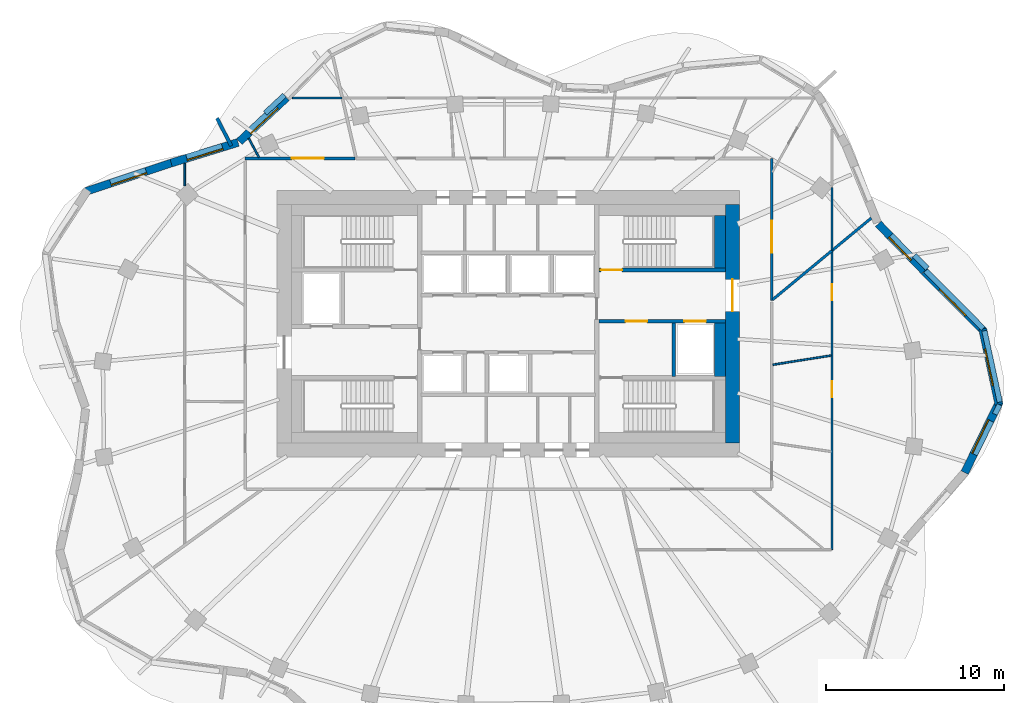
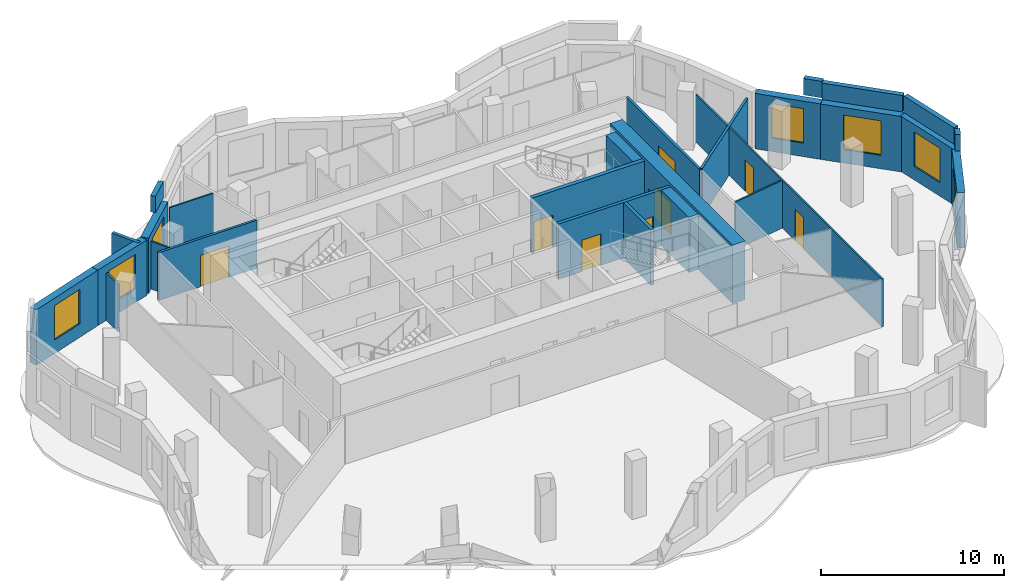
# One storey, part 6 of 9: 28 walls, 8 doors, 7 windows, 15 openings.
"""IFC4 building model written with IfcOpenShell, lengths in metres."""

from ifc_helpers import new_model, si_unit, direction, frame, frame_2d, origin, place, context, subcontext, project, spatial, rectangle, extrude, material, layer, layer_set, type_object, element, fill, save


model = new_model("IFC4")

# Units and contexts
model_context = context("Model", 3, precision=1e-05, world=origin(), true_north=direction((0.0, 1.0)))
body_context = subcontext(model_context, "Body", "Model", "MODEL_VIEW")
ifc_project = project(units=[si_unit("LENGTHUNIT", "METRE"), si_unit("AREAUNIT", "SQUARE_METRE"), si_unit("VOLUMEUNIT", "CUBIC_METRE"), si_unit("PLANEANGLEUNIT", "RADIAN"), si_unit("MASSUNIT", "GRAM", prefix="KILO")], contexts=[model_context])

# Site, building, storey
site_placement = place(None, origin())
site = spatial("IfcSite", under=ifc_project, at=site_placement, CompositionType="ELEMENT")
building_placement = place(site_placement, origin())
building = spatial("IfcBuilding", under=site, at=building_placement, Name="Rubra Terraces Tower", CompositionType="ELEMENT")
storey_placement = place(building_placement, frame((0.0, 0.0, 272.699951171875)))
storey = spatial("IfcBuildingStorey", under=building, at=storey_placement, Name="L67", CompositionType="ELEMENT", Elevation=272.699951171875)

# Wall, opening, window
ifc_material_1 = material(Name="Brick masonry red-brown", Category="masonry")
ifc_layer_1 = layer(ifc_material_1, 0.449951171875)
ifc_layer_set_1 = layer_set([ifc_layer_1], Name="Brick masonry red-brown")
wall_type_1 = type_object("IfcWallType", Name="Brick facade wall 450", PredefinedType="SOLIDWALL", material=ifc_layer_set_1)
wall_1_placement = place(storey_placement, frame((27.587158203125, -0.047607421875, 0.0), z_axis=(0.0, 0.0, 1.0), x_axis=(-0.210910311825, 0.977505417052, 0.0)))
wall_1 = element("IfcWall", 1, at=wall_1_placement, inside=storey, type_object=wall_type_1, Name="Facade wall L67 bay 1", PredefinedType="SOLIDWALL", context=body_context, shape_type="SweptSolid", body=[
    extrude(rectangle(XDim=4.35693359375, YDim=0.449951171875, at=frame_2d((2.178466796875, 0.0))), origin(), (0.0, 0.0, 1.0), 3.699951171875),
])
opening_1_placement = place(wall_1_placement, frame((1.12841796875, 0.0, 0.89990234375)))
opening_1 = element("IfcOpeningElement", 2, at=opening_1_placement, cuts=wall_1, Name="Opening W1B", PredefinedType="OPENING", context=body_context, shape_type="SweptSolid", body=[
    extrude(rectangle(XDim=2.10009765625, YDim=2.300048828125, at=frame_2d((1.050048828125, 1.14990234375))), frame((0.0, 0.23486328125, 0.0), z_axis=(0.0, -1.0, 0.0), x_axis=(1.0, 0.0, 0.0)), (0.0, 0.0, 1.0), 0.469970703125),
])
ifc_material_2 = material(Name="Clear glass in aluminium frame", Category="aluminium")
window_type_1 = type_object("IfcWindowType", Name="Fixed deep-set window tall storey 2100 x 2300", PartitioningType="SINGLE_PANEL", PredefinedType="WINDOW", material=ifc_material_2)
window_1_placement = place(opening_1_placement, origin())
window_1 = element("IfcWindow", 3, at=window_1_placement, inside=storey, type_object=window_type_1, Name="Window L67 bay 1", OverallHeight=2.300048828125, OverallWidth=2.10009765625, PartitioningType="SINGLE_PANEL", PredefinedType="WINDOW", context=body_context, shape_type="SweptSolid", body=[
    extrude(rectangle(XDim=2.10009765625, YDim=2.300048828125, at=frame_2d((1.050048828125, 1.14990234375))), frame((0.0, 0.135009765625, 0.0), z_axis=(0.0, -1.0, 0.0), x_axis=(1.0, 0.0, 0.0)), (0.0, 0.0, 1.0), 0.06005859375),
])
fill(opening_1, window_1)

wall_2_placement = place(storey_placement, frame((26.725341796875, 4.103515625, 0.0), z_axis=(0.0, 0.0, 1.0), x_axis=(-0.705349231702, 0.708859973011, 0.0)))
wall_2 = element("IfcWall", 4, at=wall_2_placement, inside=storey, type_object=wall_type_1, Name="Facade wall L67 bay 2", PredefinedType="SOLIDWALL", context=body_context, shape_type="SweptSolid", body=[
    extrude(rectangle(XDim=4.728759765625, YDim=0.449951171875, at=frame_2d((2.3642578125, 0.0))), origin(), (0.0, 0.0, 1.0), 3.699951171875),
])
opening_2_placement = place(wall_2_placement, frame((1.314453125, 0.0, 0.89990234375)))
opening_2 = element("IfcOpeningElement", 5, at=opening_2_placement, cuts=wall_2, Name="Opening W1B", PredefinedType="OPENING", context=body_context, shape_type="SweptSolid", body=[
    extrude(rectangle(XDim=2.10009765625, YDim=2.300048828125, at=frame_2d((1.050048828125, 1.14990234375))), frame((0.0, 0.23486328125, 0.0), z_axis=(0.0, -1.0, 0.0), x_axis=(1.0, 0.0, 0.0)), (0.0, 0.0, 1.0), 0.469970703125),
])
window_2_placement = place(opening_2_placement, origin())
window_2 = element("IfcWindow", 6, at=window_2_placement, inside=storey, type_object=window_type_1, Name="Window L67 bay 2", OverallHeight=2.300048828125, OverallWidth=2.10009765625, PartitioningType="SINGLE_PANEL", PredefinedType="WINDOW", context=body_context, shape_type="SweptSolid", body=[
    extrude(rectangle(XDim=2.10009765625, YDim=2.300048828125, at=frame_2d((1.050048828125, 1.14990234375))), frame((0.0, 0.135009765625, 0.0), z_axis=(0.0, -1.0, 0.0), x_axis=(1.0, 0.0, 0.0)), (0.0, 0.0, 1.0), 0.06005859375),
])
fill(opening_2, window_2)

wall_3_placement = place(storey_placement, frame((23.38720703125, 7.45849609375, 0.0), z_axis=(0.0, 0.0, 1.0), x_axis=(-0.697118725762, 0.716955704484, 0.0)))
wall_3 = element("IfcWall", 7, at=wall_3_placement, inside=storey, type_object=wall_type_1, Name="Facade wall L67 bay 3", PredefinedType="SOLIDWALL", context=body_context, shape_type="SweptSolid", body=[
    extrude(rectangle(XDim=3.716796875, YDim=0.449951171875, at=frame_2d((1.8583984375, 0.0))), origin(), (0.0, 0.0, 1.0), 3.699951171875),
])
opening_3_placement = place(wall_3_placement, frame((0.95849609375, 0.0, 0.89990234375)))
opening_3 = element("IfcOpeningElement", 8, at=opening_3_placement, cuts=wall_3, Name="Opening W6B", PredefinedType="OPENING", context=body_context, shape_type="SweptSolid", body=[
    extrude(rectangle(XDim=1.800048828125, YDim=2.300048828125, at=frame_2d((0.89990234375, 1.14990234375))), frame((0.0, 0.23486328125, 0.0), z_axis=(0.0, -1.0, 0.0), x_axis=(1.0, 0.0, 0.0)), (0.0, 0.0, 1.0), 0.469970703125),
])
window_type_2 = type_object("IfcWindowType", Name="Fixed deep-set window at wind fin tall storey 1800 x 2300", PartitioningType="SINGLE_PANEL", PredefinedType="WINDOW", material=ifc_material_2)
window_3_placement = place(opening_3_placement, origin())
window_3 = element("IfcWindow", 9, at=window_3_placement, inside=storey, type_object=window_type_2, Name="Window L67 bay 3", OverallHeight=2.300048828125, OverallWidth=1.800048828125, PartitioningType="SINGLE_PANEL", PredefinedType="WINDOW", context=body_context, shape_type="SweptSolid", body=[
    extrude(rectangle(XDim=1.800048828125, YDim=2.300048828125, at=frame_2d((0.89990234375, 1.14990234375))), frame((0.0, 0.135009765625, 0.0), z_axis=(0.0, -1.0, 0.0), x_axis=(1.0, 0.0, 0.0)), (0.0, 0.0, 1.0), 0.06005859375),
])
fill(opening_3, window_3)

wall_4_placement = place(storey_placement, frame((-12.47314453125, 17.21923828125, 0.0), z_axis=(0.0, 0.0, 1.0), x_axis=(-0.730618259172, -0.68278617397, 0.0)))
wall_4 = element("IfcWall", 10, at=wall_4_placement, inside=storey, type_object=wall_type_1, Name="Facade wall L67 bay 15", PredefinedType="SOLIDWALL", context=body_context, shape_type="SweptSolid", body=[
    extrude(rectangle(XDim=3.6240234375, YDim=0.449951171875, at=frame_2d((1.81201171875, 0.0))), origin(), (0.0, 0.0, 1.0), 3.699951171875),
])
opening_4_placement = place(wall_4_placement, frame((0.761962890625, 0.0, 0.89990234375)))
opening_4 = element("IfcOpeningElement", 11, at=opening_4_placement, cuts=wall_4, Name="Opening W1B", PredefinedType="OPENING", context=body_context, shape_type="SweptSolid", body=[
    extrude(rectangle(XDim=2.10009765625, YDim=2.300048828125, at=frame_2d((1.050048828125, 1.14990234375))), frame((0.0, 0.23486328125, 0.0), z_axis=(0.0, -1.0, 0.0), x_axis=(1.0, 0.0, 0.0)), (0.0, 0.0, 1.0), 0.469970703125),
])
window_4_placement = place(opening_4_placement, origin())
window_4 = element("IfcWindow", 12, at=window_4_placement, inside=storey, type_object=window_type_1, Name="Window L67 bay 15", OverallHeight=2.300048828125, OverallWidth=2.10009765625, PartitioningType="SINGLE_PANEL", PredefinedType="WINDOW", context=body_context, shape_type="SweptSolid", body=[
    extrude(rectangle(XDim=2.10009765625, YDim=2.300048828125, at=frame_2d((1.050048828125, 1.14990234375))), frame((0.0, 0.135009765625, 0.0), z_axis=(0.0, -1.0, 0.0), x_axis=(1.0, 0.0, 0.0)), (0.0, 0.0, 1.0), 0.06005859375),
])
fill(opening_4, window_4)

wall_5_placement = place(storey_placement, frame((-15.200439453125, 14.697998046875, 0.0), z_axis=(0.0, 0.0, 1.0), x_axis=(-0.955797807378, -0.294024746256, 0.0)))
wall_5 = element("IfcWall", 13, at=wall_5_placement, inside=storey, type_object=wall_type_1, Name="Facade wall L67 bay 16", PredefinedType="SOLIDWALL", context=body_context, shape_type="SweptSolid", body=[
    extrude(rectangle(XDim=3.930908203125, YDim=0.449951171875, at=frame_2d((1.96533203125, 0.0))), origin(), (0.0, 0.0, 1.0), 3.699951171875),
])
opening_5_placement = place(wall_5_placement, frame((0.915283203125, 0.0, 0.89990234375)))
opening_5 = element("IfcOpeningElement", 14, at=opening_5_placement, cuts=wall_5, Name="Opening W1B", PredefinedType="OPENING", context=body_context, shape_type="SweptSolid", body=[
    extrude(rectangle(XDim=2.10009765625, YDim=2.300048828125, at=frame_2d((1.050048828125, 1.14990234375))), frame((0.0, 0.23486328125, 0.0), z_axis=(0.0, -1.0, 0.0), x_axis=(1.0, 0.0, 0.0)), (0.0, 0.0, 1.0), 0.469970703125),
])
window_5_placement = place(opening_5_placement, origin())
window_5 = element("IfcWindow", 15, at=window_5_placement, inside=storey, type_object=window_type_1, Name="Window L67 bay 16", OverallHeight=2.300048828125, OverallWidth=2.10009765625, PartitioningType="SINGLE_PANEL", PredefinedType="WINDOW", context=body_context, shape_type="SweptSolid", body=[
    extrude(rectangle(XDim=2.10009765625, YDim=2.300048828125, at=frame_2d((1.050048828125, 1.14990234375))), frame((0.0, 0.135009765625, 0.0), z_axis=(0.0, -1.0, 0.0), x_axis=(1.0, 0.0, 0.0)), (0.0, 0.0, 1.0), 0.06005859375),
])
fill(opening_5, window_5)

wall_6_placement = place(storey_placement, frame((-18.953857421875, 13.54345703125, 0.0), z_axis=(0.0, 0.0, 1.0), x_axis=(-0.948673679101, -0.316256621402, 0.0)))
wall_6 = element("IfcWall", 16, at=wall_6_placement, inside=storey, type_object=wall_type_1, Name="Facade wall L67 bay 17", PredefinedType="SOLIDWALL", context=body_context, shape_type="SweptSolid", body=[
    extrude(rectangle(XDim=5.076416015625, YDim=0.449951171875, at=frame_2d((2.5380859375, 0.0))), origin(), (0.0, 0.0, 1.0), 3.699951171875),
])
opening_6_placement = place(wall_6_placement, frame((1.48828125, 0.0, 0.89990234375)))
opening_6 = element("IfcOpeningElement", 17, at=opening_6_placement, cuts=wall_6, Name="Opening W1B", PredefinedType="OPENING", context=body_context, shape_type="SweptSolid", body=[
    extrude(rectangle(XDim=2.10009765625, YDim=2.300048828125, at=frame_2d((1.050048828125, 1.14990234375))), frame((0.0, 0.23486328125, 0.0), z_axis=(0.0, -1.0, 0.0), x_axis=(1.0, 0.0, 0.0)), (0.0, 0.0, 1.0), 0.469970703125),
])
window_6_placement = place(opening_6_placement, origin())
window_6 = element("IfcWindow", 18, at=window_6_placement, inside=storey, type_object=window_type_1, Name="Window L67 bay 17", OverallHeight=2.300048828125, OverallWidth=2.10009765625, PartitioningType="SINGLE_PANEL", PredefinedType="WINDOW", context=body_context, shape_type="SweptSolid", body=[
    extrude(rectangle(XDim=2.10009765625, YDim=2.300048828125, at=frame_2d((1.050048828125, 1.14990234375))), frame((0.0, 0.135009765625, 0.0), z_axis=(0.0, -1.0, 0.0), x_axis=(1.0, 0.0, 0.0)), (0.0, 0.0, 1.0), 0.06005859375),
])
fill(opening_6, window_6)

wall_7_placement = place(storey_placement, frame((25.65869140625, -3.863525390625, 0.0), z_axis=(0.0, 0.0, 1.0), x_axis=(0.440853857785, 0.897578896853, 0.0)))
wall_7 = element("IfcWall", 19, at=wall_7_placement, inside=storey, type_object=wall_type_1, Name="Facade wall L67 bay 40", PredefinedType="SOLIDWALL", context=body_context, shape_type="SweptSolid", body=[
    extrude(rectangle(XDim=4.414794921875, YDim=0.449951171875, at=frame_2d((2.20751953125, 0.0))), origin(), (0.0, 0.0, 1.0), 3.699951171875),
])
opening_7_placement = place(wall_7_placement, frame((1.157470703125, 0.0, 0.89990234375)))
opening_7 = element("IfcOpeningElement", 20, at=opening_7_placement, cuts=wall_7, Name="Opening W1B", PredefinedType="OPENING", context=body_context, shape_type="SweptSolid", body=[
    extrude(rectangle(XDim=2.10009765625, YDim=2.300048828125, at=frame_2d((1.050048828125, 1.14990234375))), frame((0.0, 0.23486328125, 0.0), z_axis=(0.0, -1.0, 0.0), x_axis=(1.0, 0.0, 0.0)), (0.0, 0.0, 1.0), 0.469970703125),
])
window_7_placement = place(opening_7_placement, origin())
window_7 = element("IfcWindow", 21, at=window_7_placement, inside=storey, type_object=window_type_1, Name="Window L67 bay 40", OverallHeight=2.300048828125, OverallWidth=2.10009765625, PartitioningType="SINGLE_PANEL", PredefinedType="WINDOW", context=body_context, shape_type="SweptSolid", body=[
    extrude(rectangle(XDim=2.10009765625, YDim=2.300048828125, at=frame_2d((1.050048828125, 1.14990234375))), frame((0.0, 0.135009765625, 0.0), z_axis=(0.0, -1.0, 0.0), x_axis=(1.0, 0.0, 0.0)), (0.0, 0.0, 1.0), 0.06005859375),
])
fill(opening_7, window_7)

# Walls
ifc_layer_2 = layer(ifc_material_1, 0.300048828125)
ifc_layer_set_2 = layer_set([ifc_layer_2], Name="Brick masonry red-brown")
wall_type_2 = type_object("IfcWallType", Name="Brick parapet 300", PredefinedType="PARAPET", material=ifc_layer_set_2)
wall_8_placement = place(storey_placement, frame((27.632080078125, 0.099609375, 3.900146484375), z_axis=(0.0, 0.0, 1.0), x_axis=(-0.210962679137, 0.977494116612, 0.0)))
element("IfcWall", 22, at=wall_8_placement, inside=storey, type_object=wall_type_2, Name="Parapet L67 bay 1", PredefinedType="PARAPET", context=body_context, shape_type="SweptSolid", body=[
    extrude(rectangle(XDim=4.104736328125, YDim=0.300048828125, at=frame_2d((2.05224609375, 0.0))), origin(), (0.0, 0.0, 1.0), 1.099853515625),
])
wall_9_placement = place(storey_placement, frame((26.698486328125, 4.23681640625, 3.900146484375), z_axis=(0.0, 0.0, 1.0), x_axis=(-0.705345759681, 0.708863427819, 0.0)))
element("IfcWall", 23, at=wall_9_placement, inside=storey, type_object=wall_type_2, Name="Parapet L67 bay 2", PredefinedType="PARAPET", context=body_context, shape_type="SweptSolid", body=[
    extrude(rectangle(XDim=4.58056640625, YDim=0.300048828125, at=frame_2d((2.290283203125, 0.0))), origin(), (0.0, 0.0, 1.0), 1.099853515625),
])
wall_10_placement = place(storey_placement, frame((23.552490234375, 7.611083984375, 3.900146484375), z_axis=(0.0, 0.0, 1.0), x_axis=(-0.697078393292, 0.716994918814, 0.0)))
element("IfcWall", 24, at=wall_10_placement, inside=storey, type_object=wall_type_2, Name="Parapet L67 bay 3", PredefinedType="PARAPET", context=body_context, shape_type="SweptSolid", body=[
    extrude(rectangle(XDim=1.0419921875, YDim=0.300048828125, at=frame_2d((0.52099609375, 0.0))), origin(), (0.0, 0.0, 1.0), 1.099853515625),
])
wall_11_placement = place(storey_placement, frame((-12.5927734375, 17.35107421875, 3.900146484375), z_axis=(0.0, 0.0, 1.0), x_axis=(-0.730582493513, -0.682824443157, 0.0)))
element("IfcWall", 25, at=wall_11_placement, inside=storey, type_object=wall_type_2, Name="Parapet L67 bay 15", PredefinedType="PARAPET", context=body_context, shape_type="SweptSolid", body=[
    extrude(rectangle(XDim=1.477294921875, YDim=0.300048828125, at=frame_2d((0.73876953125, 0.0))), origin(), (0.0, 0.0, 1.0), 1.099853515625),
])
wall_12_placement = place(storey_placement, frame((27.35205078125, -0.586181640625, 3.900146484375), z_axis=(0.0, 0.0, 1.0), x_axis=(0.440938824915, 0.8975371595, 0.0)))
element("IfcWall", 26, at=wall_12_placement, inside=storey, type_object=wall_type_2, Name="Parapet L67 bay 40", PredefinedType="PARAPET", context=body_context, shape_type="SweptSolid", body=[
    extrude(rectangle(XDim=0.592529296875, YDim=0.300048828125, at=frame_2d((0.29638671875, 0.0))), origin(), (0.0, 0.0, 1.0), 1.099853515625),
])
ifc_layer_3 = layer(ifc_material_1, 0.199951171875)
ifc_layer_set_3 = layer_set([ifc_layer_3], Name="Brick masonry red-brown")
wall_type_3 = type_object("IfcWallType", Name="Brick wind fin 200", PredefinedType="SOLIDWALL", material=ifc_layer_set_3)
wall_13_placement = place(storey_placement, frame((-15.5869140625, 14.507080078125, 0.0), z_axis=(0.0, 0.0, 1.0), x_axis=(-0.452117231361, 0.89195852432, 0.0)))
element("IfcWall", 27, at=wall_13_placement, inside=storey, type_object=wall_type_3, Name="Wind fin L67 8", PredefinedType="SOLIDWALL", context=body_context, shape_type="SweptSolid", body=[
    extrude(rectangle(XDim=1.75, YDim=0.199951171875, at=frame_2d((0.875, 0.0))), origin(), (0.0, 0.0, 1.0), 3.699951171875),
])

# Wall, opening, door
ifc_material_3 = material(Name="Concrete C50", Category="concrete")
ifc_layer_4 = layer(ifc_material_3, 0.800048828125)
ifc_layer_set_4 = layer_set([ifc_layer_4], Name="Concrete C50")
wall_type_4 = type_object("IfcWallType", Name="CORE WALL 800 C50", PredefinedType="SHEAR", material=ifc_layer_set_4)
wall_14_placement = place(storey_placement, frame((12.60009765625, -2.199951171875, 0.0), z_axis=(0.0, 0.0, 1.0), x_axis=(0.0, 1.0, 0.0)))
wall_14 = element("IfcWall", 28, at=wall_14_placement, inside=storey, type_object=wall_type_4, Name="CORE WALL E L67", PredefinedType="SHEAR", context=body_context, shape_type="SweptSolid", body=[
    extrude(rectangle(XDim=13.39990234375, YDim=0.800048828125, at=frame_2d((6.699951171875, 0.0))), origin(), (0.0, 0.0, 1.0), 3.900146484375),
])
opening_8_placement = place(wall_14_placement, frame((7.39990234375, 0.0, 0.0)))
opening_8 = element("IfcOpeningElement", 29, at=opening_8_placement, cuts=wall_14, Name="Opening L67.C02", PredefinedType="OPENING", context=body_context, shape_type="SweptSolid", body=[
    extrude(rectangle(XDim=1.800048828125, YDim=2.10009765625, at=frame_2d((0.89990234375, 1.050048828125))), frame((0.0, 0.409912109375, 0.0), z_axis=(0.0, -1.0, 0.0), x_axis=(1.0, 0.0, 0.0)), (0.0, 0.0, 1.0), 0.820068359375),
])
ifc_material_4 = material(Name="Painted steel", Category="steel")
door_type_1 = type_object("IfcDoorType", Name="Fire door 1800x2100 double", OperationType="NOTDEFINED", PredefinedType="DOOR", material=ifc_material_4)
door_1_placement = place(opening_8_placement, origin())
door_1 = element("IfcDoor", 30, at=door_1_placement, inside=storey, type_object=door_type_1, Name="Core entrance door FF2", OperationType="DOUBLE_DOOR_SINGLE_SWING", OverallHeight=2.10009765625, OverallWidth=1.800048828125, PredefinedType="DOOR", context=body_context, shape_type="SweptSolid", body=[
    extrude(rectangle(XDim=1.800048828125, YDim=2.10009765625, at=frame_2d((0.89990234375, 1.050048828125))), frame((0.0, 0.02490234375, 0.0), z_axis=(0.0, -1.0, 0.0), x_axis=(1.0, 0.0, 0.0)), (0.0, 0.0, 1.0), 0.050048828125),
])
fill(opening_8, door_1)

ifc_material_5 = material(Name="Plasterboard on steel stud, mineral wool infill", Category="steel")
ifc_layer_5 = layer(ifc_material_5, 0.14990234375)
ifc_layer_set_5 = layer_set([ifc_layer_5], Name="Plasterboard on steel stud, mineral wool infill")
wall_type_5 = type_object("IfcWallType", Name="CORRIDOR PARTITION 150", PredefinedType="PARTITIONING", material=ifc_layer_set_5)
wall_15_placement = place(storey_placement, frame((14.800048828125, 5.808837890625, 0.0), z_axis=(0.0, 0.0, 1.0), x_axis=(0.0, 1.0, 0.0)))
wall_15 = element("IfcWall", 31, at=wall_15_placement, inside=storey, type_object=wall_type_5, Name="PARTITION", PredefinedType="PARTITIONING", context=body_context, shape_type="SweptSolid", body=[
    extrude(rectangle(XDim=7.9912109375, YDim=0.14990234375, at=frame_2d((3.99560546875, 0.0))), origin(), (0.0, 0.0, 1.0), 3.197998046875),
])
opening_9_placement = place(wall_15_placement, frame((2.674072265625, 0.0, 0.0)))
opening_9 = element("IfcOpeningElement", 32, at=opening_9_placement, cuts=wall_15, Name="Opening 67-101", PredefinedType="OPENING", context=body_context, shape_type="SweptSolid", body=[
    extrude(rectangle(XDim=1.800048828125, YDim=2.10009765625, at=frame_2d((0.89990234375, 1.050048828125))), frame((0.0, 0.0849609375, 0.0), z_axis=(0.0, -1.0, 0.0), x_axis=(1.0, 0.0, 0.0)), (0.0, 0.0, 1.0), 0.169921875),
])
ifc_material_6 = material(Name="Painted timber door leaf, double", Category="wood")
door_type_2 = type_object("IfcDoorType", Name="ROOM DOUBLE DOOR 1800 X 2100", OperationType="DOUBLE_DOOR_SINGLE_SWING", PredefinedType="DOOR", material=ifc_material_6)
door_2_placement = place(opening_9_placement, origin())
door_2 = element("IfcDoor", 33, at=door_2_placement, inside=storey, type_object=door_type_2, Name="DOOR 67-101", OperationType="DOUBLE_DOOR_SINGLE_SWING", OverallHeight=2.10009765625, OverallWidth=1.800048828125, PredefinedType="DOOR", context=body_context, shape_type="SweptSolid", body=[
    extrude(rectangle(XDim=1.800048828125, YDim=2.10009765625, at=frame_2d((0.89990234375, 1.050048828125))), frame((0.0, 0.02490234375, 0.0), z_axis=(0.0, -1.0, 0.0), x_axis=(1.0, 0.0, 0.0)), (0.0, 0.0, 1.0), 0.050048828125),
])
fill(opening_9, door_2)

wall_16_placement = place(storey_placement, frame((-8.630615234375, 13.800048828125, 0.0), z_axis=(0.0, 0.0, 1.0), x_axis=(-1.0, 0.0, 0.0)))
wall_16 = element("IfcWall", 34, at=wall_16_placement, inside=storey, type_object=wall_type_5, Name="PARTITION", PredefinedType="PARTITIONING", context=body_context, shape_type="SweptSolid", body=[
    extrude(rectangle(XDim=6.16943359375, YDim=0.14990234375, at=frame_2d((3.084716796875, 0.0))), origin(), (0.0, 0.0, 1.0), 3.197998046875),
])
opening_10_placement = place(wall_16_placement, frame((1.742919921875, 0.0, 0.0)))
opening_10 = element("IfcOpeningElement", 35, at=opening_10_placement, cuts=wall_16, Name="Opening 67-107", PredefinedType="OPENING", context=body_context, shape_type="SweptSolid", body=[
    extrude(rectangle(XDim=1.800048828125, YDim=2.10009765625, at=frame_2d((0.89990234375, 1.050048828125))), frame((0.0, 0.0849609375, 0.0), z_axis=(0.0, -1.0, 0.0), x_axis=(1.0, 0.0, 0.0)), (0.0, 0.0, 1.0), 0.169921875),
])
door_3_placement = place(opening_10_placement, origin())
door_3 = element("IfcDoor", 36, at=door_3_placement, inside=storey, type_object=door_type_2, Name="DOOR 67-107", OperationType="DOUBLE_DOOR_SINGLE_SWING", OverallHeight=2.10009765625, OverallWidth=1.800048828125, PredefinedType="DOOR", context=body_context, shape_type="SweptSolid", body=[
    extrude(rectangle(XDim=1.800048828125, YDim=2.10009765625, at=frame_2d((0.89990234375, 1.050048828125))), frame((0.0, 0.02490234375, 0.0), z_axis=(0.0, -1.0, 0.0), x_axis=(1.0, 0.0, 0.0)), (0.0, 0.0, 1.0), 0.050048828125),
])
fill(opening_10, door_3)

# Walls
ifc_material_7 = material(Name="Concrete C40", Category="concrete")
ifc_layer_6 = layer(ifc_material_7, 0.60009765625)
ifc_layer_set_6 = layer_set([ifc_layer_6], Name="Concrete C40")
wall_type_6 = type_object("IfcWallType", Name="Core lining wall 600 concrete", PredefinedType="SOLIDWALL", material=ifc_layer_set_6)
wall_17_placement = place(storey_placement, frame((11.89990234375, 10.60009765625, 0.0), z_axis=(0.0, 0.0, 1.0), x_axis=(0.0, -1.0, 0.0)))
element("IfcWall", 37, at=wall_17_placement, inside=storey, type_object=wall_type_6, Name="CORE LINING WALL L67", PredefinedType="SOLIDWALL", context=body_context, shape_type="SweptSolid", body=[
    extrude(rectangle(XDim=2.9501953125, YDim=0.60009765625, at=frame_2d((1.47509765625, 0.0))), origin(), (0.0, 0.0, 1.0), 3.699951171875),
])
wall_18_placement = place(storey_placement, frame((11.89990234375, 4.550048828125, 0.0), z_axis=(0.0, 0.0, 1.0), x_axis=(0.0, -1.0, 0.0)))
element("IfcWall", 38, at=wall_18_placement, inside=storey, type_object=wall_type_6, Name="CORE LINING WALL L67", PredefinedType="SOLIDWALL", context=body_context, shape_type="SweptSolid", body=[
    extrude(rectangle(XDim=3.0, YDim=0.60009765625, at=frame_2d((1.5, 0.0))), origin(), (0.0, 0.0, 1.0), 3.699951171875),
])

# Wall, openings, doors
ifc_material_8 = material(Name="Concrete C30", Category="concrete")
ifc_layer_7 = layer(ifc_material_8, 0.199951171875)
ifc_layer_set_7 = layer_set([ifc_layer_7], Name="Concrete C30")
wall_type_7 = type_object("IfcWallType", Name="Core wall 200 concrete", PredefinedType="SOLIDWALL", material=ifc_layer_set_7)
wall_19_placement = place(storey_placement, frame((12.199951171875, 4.64990234375, 0.0), z_axis=(0.0, 0.0, 1.0), x_axis=(-1.0, 0.0, 0.0)))
wall_19 = element("IfcWall", 39, at=wall_19_placement, inside=storey, type_object=wall_type_7, Name="STAIR WALL L67", PredefinedType="SOLIDWALL", context=body_context, shape_type="SweptSolid", body=[
    extrude(rectangle(XDim=7.099853515625, YDim=0.199951171875, at=frame_2d((3.5498046875, 0.0))), origin(), (0.0, 0.0, 1.0), 3.699951171875),
])
opening_11_placement = place(wall_19_placement, frame((4.39990234375, 0.0, 0.0)))
opening_11 = element("IfcOpeningElement", 40, at=opening_11_placement, cuts=wall_19, Name="Opening L67.C06", PredefinedType="OPENING", context=body_context, shape_type="SweptSolid", body=[
    extrude(rectangle(XDim=1.199951171875, YDim=2.10009765625, at=frame_2d((0.60009765625, 1.050048828125))), frame((0.0, 0.10986328125, 0.0), z_axis=(0.0, -1.0, 0.0), x_axis=(1.0, 0.0, 0.0)), (0.0, 0.0, 1.0), 0.219970703125),
])
opening_12_placement = place(wall_19_placement, frame((1.10009765625, 0.0, 0.0)))
opening_12 = element("IfcOpeningElement", 41, at=opening_12_placement, cuts=wall_19, Name="Opening L67.C12", PredefinedType="OPENING", context=body_context, shape_type="SweptSolid", body=[
    extrude(rectangle(XDim=1.199951171875, YDim=2.10009765625, at=frame_2d((0.60009765625, 1.050048828125))), frame((0.0, 0.10986328125, 0.0), z_axis=(0.0, -1.0, 0.0), x_axis=(1.0, 0.0, 0.0)), (0.0, 0.0, 1.0), 0.219970703125),
])
door_type_3 = type_object("IfcDoorType", Name="Fire door 1200x2100 single", OperationType="NOTDEFINED", PredefinedType="DOOR", material=ifc_material_4)
door_4_placement = place(opening_11_placement, origin())
door_4 = element("IfcDoor", 42, at=door_4_placement, inside=storey, type_object=door_type_3, Name="Stair vestibule door S4", OperationType="SINGLE_SWING_RIGHT", OverallHeight=2.10009765625, OverallWidth=1.199951171875, PredefinedType="DOOR", context=body_context, shape_type="SweptSolid", body=[
    extrude(rectangle(XDim=1.199951171875, YDim=2.10009765625, at=frame_2d((0.60009765625, 1.050048828125))), frame((0.0, 0.02490234375, 0.0), z_axis=(0.0, -1.0, 0.0), x_axis=(1.0, 0.0, 0.0)), (0.0, 0.0, 1.0), 0.050048828125),
])
fill(opening_11, door_4)
ifc_material_9 = material(Name="Stainless steel", Category="steel")
door_type_4 = type_object("IfcDoorType", Name="Lift landing door 1200x2100", OperationType="NOTDEFINED", PredefinedType="DOOR", material=ifc_material_9)
door_5_placement = place(opening_12_placement, origin())
door_5 = element("IfcDoor", 43, at=door_5_placement, inside=storey, type_object=door_type_4, Name="Landing door FF2", OperationType="SLIDING_TO_RIGHT", OverallHeight=2.10009765625, OverallWidth=1.199951171875, PredefinedType="DOOR", context=body_context, shape_type="SweptSolid", body=[
    extrude(rectangle(XDim=1.199951171875, YDim=2.10009765625, at=frame_2d((0.60009765625, 1.050048828125))), frame((0.0, 0.02490234375, 0.0), z_axis=(0.0, -1.0, 0.0), x_axis=(1.0, 0.0, 0.0)), (0.0, 0.0, 1.0), 0.050048828125),
])
fill(opening_12, door_5)

# Walls
wall_20_placement = place(storey_placement, frame((9.300048828125, 4.550048828125, 0.0), z_axis=(0.0, 0.0, 1.0), x_axis=(0.0, -1.0, 0.0)))
element("IfcWall", 44, at=wall_20_placement, inside=storey, type_object=wall_type_7, Name="STAIR WALL L67", PredefinedType="SOLIDWALL", context=body_context, shape_type="SweptSolid", body=[
    extrude(rectangle(XDim=3.0, YDim=0.199951171875, at=frame_2d((1.5, 0.0))), origin(), (0.0, 0.0, 1.0), 3.699951171875),
])
ifc_material_10 = material(Name="Plasterboard on steel stud", Category="steel")
ifc_layer_8 = layer(ifc_material_10, 0.10009765625)
ifc_layer_set_8 = layer_set([ifc_layer_8], Name="Plasterboard on steel stud")
wall_type_8 = type_object("IfcWallType", Name="ROOM PARTITION 100", PredefinedType="PARTITIONING", material=ifc_layer_set_8)
wall_21_placement = place(storey_placement, frame((18.199951171875, 12.158447265625, 0.0), z_axis=(0.0, 0.0, 1.0), x_axis=(0.0, -1.0, 0.0)))
element("IfcWall", 45, at=wall_21_placement, inside=storey, type_object=wall_type_8, Name="PARTITION", PredefinedType="PARTITIONING", context=body_context, shape_type="SweptSolid", body=[
    extrude(rectangle(XDim=3.51171875, YDim=0.10009765625, at=frame_2d((1.755859375, 0.0))), origin(), (0.0, 0.0, 1.0), 3.18408203125),
])
wall_22_placement = place(storey_placement, frame((-18.199951171875, 12.26025390625, 0.0), z_axis=(0.0, 0.0, 1.0), x_axis=(0.0, 1.0, 0.0)))
element("IfcWall", 46, at=wall_22_placement, inside=storey, type_object=wall_type_8, Name="PARTITION", PredefinedType="PARTITIONING", context=body_context, shape_type="SweptSolid", body=[
    extrude(rectangle(XDim=1.2587890625, YDim=0.10009765625, at=frame_2d((0.62939453125, 0.0))), origin(), (0.0, 0.0, 1.0), 3.18408203125),
])
wall_23_placement = place(storey_placement, frame((-12.147705078125, 17.199951171875, 0.0), z_axis=(0.0, 0.0, 1.0), x_axis=(1.0, 0.0, 0.0)))
element("IfcWall", 47, at=wall_23_placement, inside=storey, type_object=wall_type_8, Name="PARTITION", PredefinedType="PARTITIONING", context=body_context, shape_type="SweptSolid", body=[
    extrude(rectangle(XDim=2.789794921875, YDim=0.10009765625, at=frame_2d((1.39501953125, 0.0))), origin(), (0.0, 0.0, 1.0), 3.18408203125),
])
wall_24_placement = place(storey_placement, frame((-14.02734375, 13.865966796875, 0.0), z_axis=(0.0, 0.0, 1.0), x_axis=(-0.473869966251, 0.880594830263, 0.0)))
element("IfcWall", 48, at=wall_24_placement, inside=storey, type_object=wall_type_8, Name="PARTITION", PredefinedType="PARTITIONING", context=body_context, shape_type="SweptSolid", body=[
    extrude(rectangle(XDim=1.20361328125, YDim=0.10009765625, at=frame_2d((0.601806640625, 0.0))), origin(), (0.0, 0.0, 1.0), 3.18408203125),
])

# Wall, openings, doors
wall_25_placement = place(storey_placement, frame((18.199951171875, 8.5947265625, 0.0), z_axis=(0.0, 0.0, 1.0), x_axis=(0.0, -1.0, 0.0)))
wall_25 = element("IfcWall", 49, at=wall_25_placement, inside=storey, type_object=wall_type_8, Name="PARTITION", PredefinedType="PARTITIONING", context=body_context, shape_type="SweptSolid", body=[
    extrude(rectangle(XDim=16.794677734375, YDim=0.10009765625, at=frame_2d((8.3974609375, 0.0))), origin(), (0.0, 0.0, 1.0), 3.18408203125),
])
opening_13_placement = place(wall_25_placement, frame((7.33203125, 0.0, 0.0)))
opening_13 = element("IfcOpeningElement", 50, at=opening_13_placement, cuts=wall_25, Name="Opening 67-115", PredefinedType="OPENING", context=body_context, shape_type="SweptSolid", body=[
    extrude(rectangle(XDim=0.89990234375, YDim=2.10009765625, at=frame_2d((0.449951171875, 1.050048828125))), frame((0.0, 0.06005859375, 0.0), z_axis=(0.0, -1.0, 0.0), x_axis=(1.0, 0.0, 0.0)), (0.0, 0.0, 1.0), 0.1201171875),
])
opening_14_placement = place(wall_25_placement, frame((1.85595703125, 0.0, 0.0)))
opening_14 = element("IfcOpeningElement", 51, at=opening_14_placement, cuts=wall_25, Name="Opening 67-116", PredefinedType="OPENING", context=body_context, shape_type="SweptSolid", body=[
    extrude(rectangle(XDim=0.89990234375, YDim=2.10009765625, at=frame_2d((0.449951171875, 1.050048828125))), frame((0.0, 0.06005859375, 0.0), z_axis=(0.0, -1.0, 0.0), x_axis=(1.0, 0.0, 0.0)), (0.0, 0.0, 1.0), 0.1201171875),
])
ifc_material_11 = material(Name="Painted timber door leaf", Category="wood")
door_type_5 = type_object("IfcDoorType", Name="ROOM DOOR 900 X 2100", OperationType="SINGLE_SWING_LEFT", PredefinedType="DOOR", material=ifc_material_11)
door_6_placement = place(opening_13_placement, origin())
door_6 = element("IfcDoor", 52, at=door_6_placement, inside=storey, type_object=door_type_5, Name="DOOR 67-115", OperationType="SINGLE_SWING_LEFT", OverallHeight=2.10009765625, OverallWidth=0.89990234375, PredefinedType="DOOR", context=body_context, shape_type="SweptSolid", body=[
    extrude(rectangle(XDim=0.89990234375, YDim=2.10009765625, at=frame_2d((0.449951171875, 1.050048828125))), frame((0.0, 0.02490234375, 0.0), z_axis=(0.0, -1.0, 0.0), x_axis=(1.0, 0.0, 0.0)), (0.0, 0.0, 1.0), 0.050048828125),
])
fill(opening_13, door_6)
door_7_placement = place(opening_14_placement, origin())
door_7 = element("IfcDoor", 53, at=door_7_placement, inside=storey, type_object=door_type_5, Name="DOOR 67-116", OperationType="SINGLE_SWING_LEFT", OverallHeight=2.10009765625, OverallWidth=0.89990234375, PredefinedType="DOOR", context=body_context, shape_type="SweptSolid", body=[
    extrude(rectangle(XDim=0.89990234375, YDim=2.10009765625, at=frame_2d((0.449951171875, 1.050048828125))), frame((0.0, 0.02490234375, 0.0), z_axis=(0.0, -1.0, 0.0), x_axis=(1.0, 0.0, 0.0)), (0.0, 0.0, 1.0), 0.050048828125),
])
fill(opening_14, door_7)

# Walls
wall_26_placement = place(storey_placement, frame((14.8740234375, 2.201416015625, 0.0), z_axis=(0.0, 0.0, 1.0), x_axis=(0.987741473675, 0.156098626456, 0.0)))
element("IfcWall", 54, at=wall_26_placement, inside=storey, type_object=wall_type_8, Name="PARTITION", PredefinedType="PARTITIONING", context=body_context, shape_type="SweptSolid", body=[
    extrude(rectangle(XDim=3.3173828125, YDim=0.10009765625, at=frame_2d((1.65869140625, 0.0))), origin(), (0.0, 0.0, 1.0), 3.18408203125),
])
ifc_layer_9 = layer(ifc_material_10, 0.14990234375)
ifc_layer_set_9 = layer_set([ifc_layer_9], Name="Plasterboard on steel stud")
wall_type_9 = type_object("IfcWallType", Name="ROOM PARTITION 150", PredefinedType="PARTITIONING", material=ifc_layer_set_9)
wall_27_placement = place(storey_placement, frame((20.40283203125, 10.4423828125, 0.0), z_axis=(0.0, 0.0, 1.0), x_axis=(-0.770613226955, -0.637303110334, 0.0)))
element("IfcWall", 55, at=wall_27_placement, inside=storey, type_object=wall_type_9, Name="PARTITION", PredefinedType="PARTITIONING", context=body_context, shape_type="SweptSolid", body=[
    extrude(rectangle(XDim=7.195556640625, YDim=0.14990234375, at=frame_2d((3.59765625, 0.0))), origin(), (0.0, 0.0, 1.0), 3.197998046875),
])

# Wall, opening, door
ifc_layer_10 = layer(ifc_material_7, 0.25)
ifc_layer_set_10 = layer_set([ifc_layer_10], Name="Concrete C40")
wall_type_10 = type_object("IfcWallType", Name="Stair enclosure wall 250 concrete", PredefinedType="SOLIDWALL", material=ifc_layer_set_10)
wall_28_placement = place(storey_placement, frame((12.199951171875, 7.52490234375, 0.0), z_axis=(0.0, 0.0, 1.0), x_axis=(-1.0, 0.0, 0.0)))
wall_28 = element("IfcWall", 56, at=wall_28_placement, inside=storey, type_object=wall_type_10, Name="STAIR WALL L67", PredefinedType="SOLIDWALL", context=body_context, shape_type="SweptSolid", body=[
    extrude(rectangle(XDim=7.099853515625, YDim=0.25, at=frame_2d((3.5498046875, 0.0))), origin(), (0.0, 0.0, 1.0), 3.699951171875),
])
opening_15_placement = place(wall_28_placement, frame((5.800048828125, 0.0, 0.0)))
opening_15 = element("IfcOpeningElement", 57, at=opening_15_placement, cuts=wall_28, Name="Opening L67.C08", PredefinedType="OPENING", context=body_context, shape_type="SweptSolid", body=[
    extrude(rectangle(XDim=1.199951171875, YDim=2.10009765625, at=frame_2d((0.60009765625, 1.050048828125))), frame((0.0, 0.135009765625, 0.0), z_axis=(0.0, -1.0, 0.0), x_axis=(1.0, 0.0, 0.0)), (0.0, 0.0, 1.0), 0.27001953125),
])
door_8_placement = place(opening_15_placement, origin())
door_8 = element("IfcDoor", 58, at=door_8_placement, inside=storey, type_object=door_type_3, Name="Stair door S3", OperationType="SINGLE_SWING_RIGHT", OverallHeight=2.10009765625, OverallWidth=1.199951171875, PredefinedType="DOOR", context=body_context, shape_type="SweptSolid", body=[
    extrude(rectangle(XDim=1.199951171875, YDim=2.10009765625, at=frame_2d((0.60009765625, 1.050048828125))), frame((0.0, 0.02490234375, 0.0), z_axis=(0.0, -1.0, 0.0), x_axis=(1.0, 0.0, 0.0)), (0.0, 0.0, 1.0), 0.050048828125),
])
fill(opening_15, door_8)

save(model, "model.ifc")
